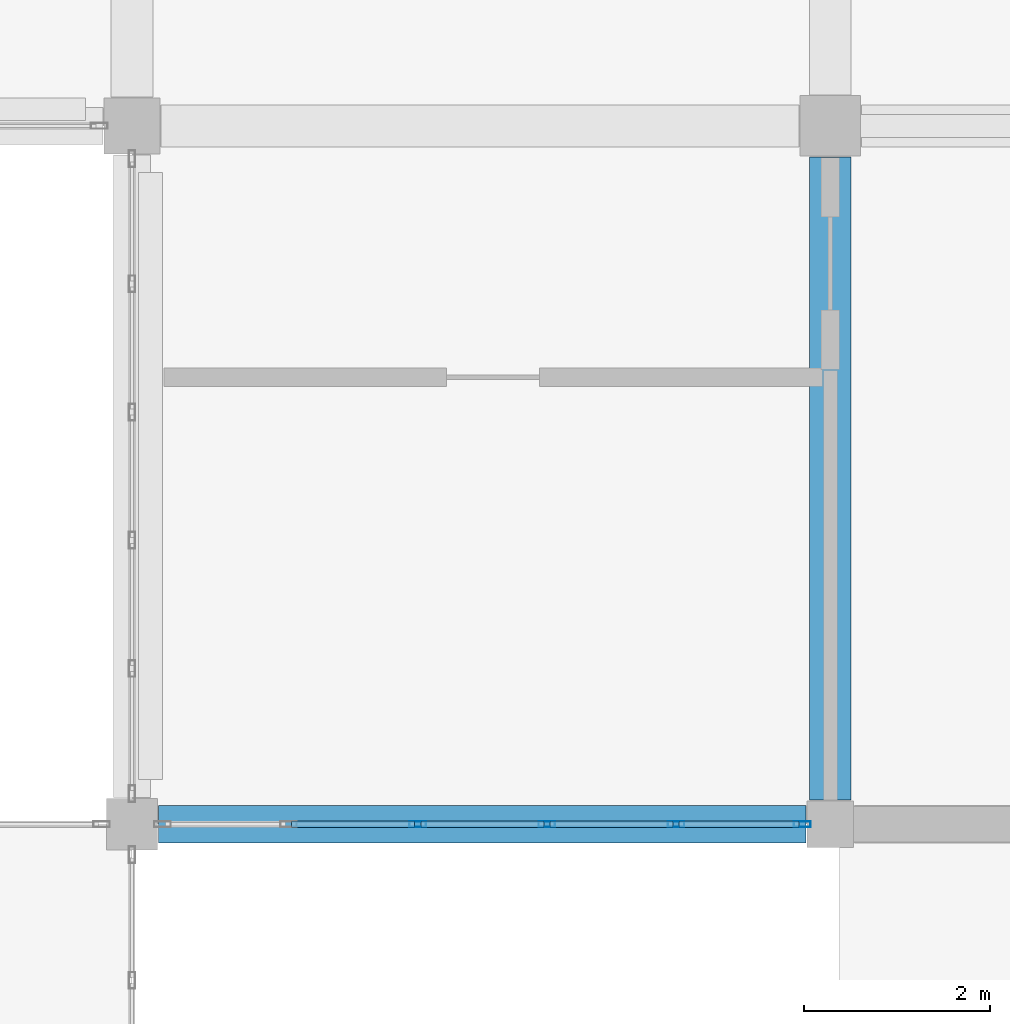
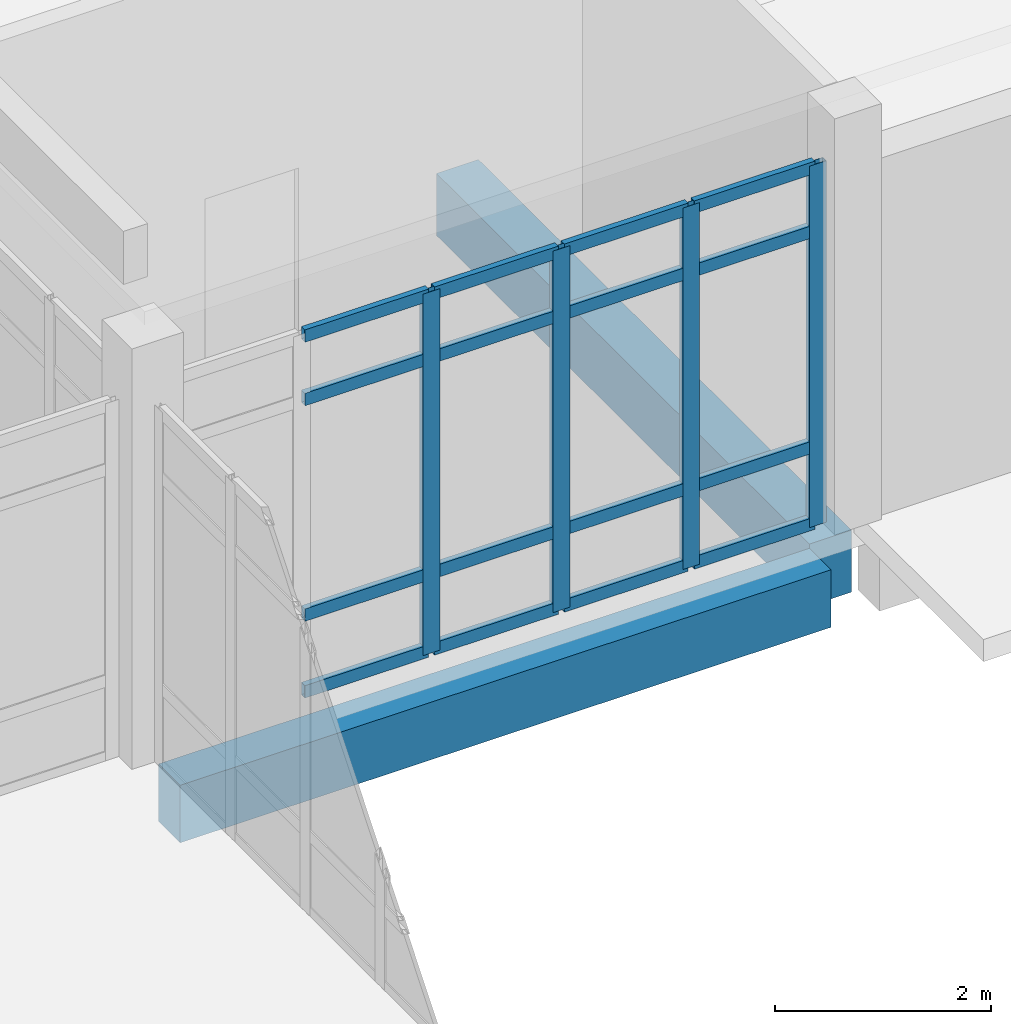
# One storey, part 64 of 173: 20 members, 2 beams, 1 element without a shape of its own.
"""IFC4 building model written with IfcOpenShell, lengths in metres."""

from ifc_helpers import new_model, si_unit, direction, frame, origin, origin_2d, place, context, subcontext, project, spatial, rectangle, hollow_rectangle, extrude, material, layer, layer_set, material_profile, profile_set, type_object, element, aggregate, save


model = new_model("IFC4")

# Units and contexts
model_context = context("Model", 3, precision=1e-05, world=origin(), true_north=direction((0.0, 1.0)))
body_context = subcontext(model_context, "Body", "Model", "MODEL_VIEW")
ifc_project = project(units=[si_unit("LENGTHUNIT", "METRE"), si_unit("AREAUNIT", "SQUARE_METRE"), si_unit("VOLUMEUNIT", "CUBIC_METRE"), si_unit("PLANEANGLEUNIT", "RADIAN"), si_unit("MASSUNIT", "GRAM", prefix="KILO")], contexts=[model_context])

# Site, building, storey
site_placement = place(None, origin())
site = spatial("IfcSite", under=ifc_project, at=site_placement, CompositionType="ELEMENT")
building_placement = place(site_placement, origin())
building = spatial("IfcBuilding", under=site, at=building_placement, Name="Mawjan Specialist Oncology Clinic", CompositionType="ELEMENT")
storey_placement = place(building_placement, origin())
storey = spatial("IfcBuildingStorey", under=building, at=storey_placement, Name="L00", CompositionType="ELEMENT", Elevation=0.0)

# Beam
ifc_material_1 = material(Name="Concrete C40/50", Category="concrete")
ifc_material_profile_1 = material_profile(ifc_material_1, rectangle(XDim=0.449951171875, YDim=0.699951171875, at=origin_2d()), Name="RC BM 450x700", Category="concrete")
ifc_profile_set_1 = profile_set([ifc_material_profile_1], Name="Concrete C40/50")
beam_type_1 = type_object("IfcBeamType", Name="BM-450x700", PredefinedType="BEAM", material=ifc_profile_set_1)
beam_1_placement = place(storey_placement, frame((52.5, 76.06005859375, -0.77001953125), z_axis=(0.0, 1.0, 0.0), x_axis=(-1.0, 0.0, 0.0)))
element("IfcBeam", 1, at=beam_1_placement, inside=storey, type_object=beam_type_1, Name="L00 Collector Beam BM-L00-0127", PredefinedType="BEAM", context=body_context, shape_type="SweptSolid", body=[
    extrude(rectangle(XDim=0.449951171875, YDim=0.699951171875, at=origin_2d()), origin(), (0.0, 0.0, 1.0), 6.905029296875),
])

# Curtain wall, members
ifc_material_2 = material(Name="Unitised spectrally selective aluminium curtain wall", Category="aluminium")
ifc_layer = layer(ifc_material_2, 0.179931640625, Name="Unitised spectrally selective aluminium curtain wall", Category="aluminium")
ifc_layer_set = layer_set([ifc_layer], Name="Unitised spectrally selective aluminium curtain wall")
curtain_wall_type = type_object("IfcCurtainWallType", Name="CW-26", PredefinedType="NOTDEFINED", material=ifc_layer_set)
curtain_wall_placement = place(storey_placement, origin())
curtain_wall = element("IfcCurtainWall", 2, at=curtain_wall_placement, inside=storey, type_object=curtain_wall_type, Name="L00 Unitised Curtain Wall CW-L00-044", PredefinedType="NOTDEFINED")
ifc_material_3 = material(Name="Thermally broken aluminium 6063-T6", Category="aluminium")
ifc_material_profile_2 = material_profile(ifc_material_3, hollow_rectangle(XDim=0.06494140625, YDim=0.179931640625, WallThickness=0.00390625, at=origin_2d()), Name="ALU MULLION 180x65x4", Category="aluminium")
ifc_profile_set_2 = profile_set([ifc_material_profile_2], Name="Thermally broken aluminium 6063-T6")
member_type_1 = type_object("IfcMemberType", Name="CW-M180", PredefinedType="MULLION", material=ifc_profile_set_2)
member_1_placement = place(storey_placement, frame((52.197509765625, 75.800048828125, 0.0), z_axis=(0.0, 0.0, 1.0), x_axis=(0.0, -1.0, 0.0)))
member_1 = element("IfcMember", 3, at=member_1_placement, type_object=member_type_1, Name="CW-26 mullion 1", PredefinedType="MULLION", context=body_context, shape_type="SweptSolid", body=[
    extrude(hollow_rectangle(XDim=0.06494140625, YDim=0.179931640625, WallThickness=0.00390625, at=origin_2d()), origin(), (0.0, 0.0, 1.0), 4.0849609375),
])
member_2_placement = place(storey_placement, frame((50.843017578125, 75.800048828125, 0.0), z_axis=(0.0, 0.0, 1.0), x_axis=(0.0, -1.0, 0.0)))
member_2 = element("IfcMember", 4, at=member_2_placement, type_object=member_type_1, Name="CW-26 mullion 2", PredefinedType="MULLION", context=body_context, shape_type="SweptSolid", body=[
    extrude(hollow_rectangle(XDim=0.06494140625, YDim=0.179931640625, WallThickness=0.00390625, at=origin_2d()), origin(), (0.0, 0.0, 1.0), 4.0849609375),
])
member_3_placement = place(storey_placement, frame((49.4560546875, 75.800048828125, 0.0), z_axis=(0.0, 0.0, 1.0), x_axis=(0.0, -1.0, 0.0)))
member_3 = element("IfcMember", 5, at=member_3_placement, type_object=member_type_1, Name="CW-26 mullion 3", PredefinedType="MULLION", context=body_context, shape_type="SweptSolid", body=[
    extrude(hollow_rectangle(XDim=0.06494140625, YDim=0.179931640625, WallThickness=0.00390625, at=origin_2d()), origin(), (0.0, 0.0, 1.0), 4.0849609375),
])
member_4_placement = place(storey_placement, frame((48.069091796875, 75.800048828125, 0.0), z_axis=(0.0, 0.0, 1.0), x_axis=(0.0, -1.0, 0.0)))
member_4 = element("IfcMember", 6, at=member_4_placement, type_object=member_type_1, Name="CW-26 mullion 4", PredefinedType="MULLION", context=body_context, shape_type="SweptSolid", body=[
    extrude(hollow_rectangle(XDim=0.06494140625, YDim=0.179931640625, WallThickness=0.00390625, at=origin_2d()), origin(), (0.0, 0.0, 1.0), 4.0849609375),
])
ifc_material_4 = material(Name="Thermally broken aluminium 6063-T6", Category="aluminium")
ifc_material_profile_3 = material_profile(ifc_material_4, hollow_rectangle(XDim=0.06494140625, YDim=0.139892578125, WallThickness=0.00390625, at=origin_2d()), Name="ALU TRANSOM 140x65x4", Category="aluminium")
ifc_profile_set_3 = profile_set([ifc_material_profile_3], Name="Thermally broken aluminium 6063-T6")
member_type_2 = type_object("IfcMemberType", Name="CW-T140", PredefinedType="USERDEFINED", material=ifc_profile_set_3)
member_5_placement = place(storey_placement, frame((52.1650390625, 75.800048828125, 0.032470703125), z_axis=(-1.0, 0.0, 0.0), x_axis=(0.0, -1.0, 0.0)))
member_5 = element("IfcMember", 7, at=member_5_placement, type_object=member_type_2, Name="CW-26 transom 1.1", ObjectType="TRANSOM", PredefinedType="USERDEFINED", context=body_context, shape_type="SweptSolid", body=[
    extrude(hollow_rectangle(XDim=0.06494140625, YDim=0.139892578125, WallThickness=0.00390625, at=origin_2d()), origin(), (0.0, 0.0, 1.0), 1.28955078125),
])
member_6_placement = place(storey_placement, frame((52.1650390625, 75.800048828125, 0.89990234375), z_axis=(-1.0, 0.0, 0.0), x_axis=(0.0, -1.0, 0.0)))
member_6 = element("IfcMember", 8, at=member_6_placement, type_object=member_type_2, Name="CW-26 transom 1.2", ObjectType="TRANSOM", PredefinedType="USERDEFINED", context=body_context, shape_type="SweptSolid", body=[
    extrude(hollow_rectangle(XDim=0.06494140625, YDim=0.139892578125, WallThickness=0.00390625, at=origin_2d()), origin(), (0.0, 0.0, 1.0), 1.28955078125),
])
member_7_placement = place(storey_placement, frame((52.1650390625, 75.800048828125, 3.3349609375), z_axis=(-1.0, 0.0, 0.0), x_axis=(0.0, -1.0, 0.0)))
member_7 = element("IfcMember", 9, at=member_7_placement, type_object=member_type_2, Name="CW-26 transom 1.3", ObjectType="TRANSOM", PredefinedType="USERDEFINED", context=body_context, shape_type="SweptSolid", body=[
    extrude(hollow_rectangle(XDim=0.06494140625, YDim=0.139892578125, WallThickness=0.00390625, at=origin_2d()), origin(), (0.0, 0.0, 1.0), 1.28955078125),
])
member_8_placement = place(storey_placement, frame((52.1650390625, 75.800048828125, 4.052490234375), z_axis=(-1.0, 0.0, 0.0), x_axis=(0.0, -1.0, 0.0)))
member_8 = element("IfcMember", 10, at=member_8_placement, type_object=member_type_2, Name="CW-26 transom 1.4", ObjectType="TRANSOM", PredefinedType="USERDEFINED", context=body_context, shape_type="SweptSolid", body=[
    extrude(hollow_rectangle(XDim=0.06494140625, YDim=0.139892578125, WallThickness=0.00390625, at=origin_2d()), origin(), (0.0, 0.0, 1.0), 1.28955078125),
])
member_9_placement = place(storey_placement, frame((50.810546875, 75.800048828125, 0.032470703125), z_axis=(-1.0, 0.0, 0.0), x_axis=(0.0, -1.0, 0.0)))
member_9 = element("IfcMember", 11, at=member_9_placement, type_object=member_type_2, Name="CW-26 transom 2.1", ObjectType="TRANSOM", PredefinedType="USERDEFINED", context=body_context, shape_type="SweptSolid", body=[
    extrude(hollow_rectangle(XDim=0.06494140625, YDim=0.139892578125, WallThickness=0.00390625, at=origin_2d()), origin(), (0.0, 0.0, 1.0), 1.322021484375),
])
member_10_placement = place(storey_placement, frame((50.810546875, 75.800048828125, 0.89990234375), z_axis=(-1.0, 0.0, 0.0), x_axis=(0.0, -1.0, 0.0)))
member_10 = element("IfcMember", 12, at=member_10_placement, type_object=member_type_2, Name="CW-26 transom 2.2", ObjectType="TRANSOM", PredefinedType="USERDEFINED", context=body_context, shape_type="SweptSolid", body=[
    extrude(hollow_rectangle(XDim=0.06494140625, YDim=0.139892578125, WallThickness=0.00390625, at=origin_2d()), origin(), (0.0, 0.0, 1.0), 1.322021484375),
])
member_11_placement = place(storey_placement, frame((50.810546875, 75.800048828125, 3.3349609375), z_axis=(-1.0, 0.0, 0.0), x_axis=(0.0, -1.0, 0.0)))
member_11 = element("IfcMember", 13, at=member_11_placement, type_object=member_type_2, Name="CW-26 transom 2.3", ObjectType="TRANSOM", PredefinedType="USERDEFINED", context=body_context, shape_type="SweptSolid", body=[
    extrude(hollow_rectangle(XDim=0.06494140625, YDim=0.139892578125, WallThickness=0.00390625, at=origin_2d()), origin(), (0.0, 0.0, 1.0), 1.322021484375),
])
member_12_placement = place(storey_placement, frame((50.810546875, 75.800048828125, 4.052490234375), z_axis=(-1.0, 0.0, 0.0), x_axis=(0.0, -1.0, 0.0)))
member_12 = element("IfcMember", 14, at=member_12_placement, type_object=member_type_2, Name="CW-26 transom 2.4", ObjectType="TRANSOM", PredefinedType="USERDEFINED", context=body_context, shape_type="SweptSolid", body=[
    extrude(hollow_rectangle(XDim=0.06494140625, YDim=0.139892578125, WallThickness=0.00390625, at=origin_2d()), origin(), (0.0, 0.0, 1.0), 1.322021484375),
])
member_13_placement = place(storey_placement, frame((49.423583984375, 75.800048828125, 0.032470703125), z_axis=(-1.0, 0.0, 0.0), x_axis=(0.0, -1.0, 0.0)))
member_13 = element("IfcMember", 15, at=member_13_placement, type_object=member_type_2, Name="CW-26 transom 3.1", ObjectType="TRANSOM", PredefinedType="USERDEFINED", context=body_context, shape_type="SweptSolid", body=[
    extrude(hollow_rectangle(XDim=0.06494140625, YDim=0.139892578125, WallThickness=0.00390625, at=origin_2d()), origin(), (0.0, 0.0, 1.0), 1.322021484375),
])
member_14_placement = place(storey_placement, frame((49.423583984375, 75.800048828125, 0.89990234375), z_axis=(-1.0, 0.0, 0.0), x_axis=(0.0, -1.0, 0.0)))
member_14 = element("IfcMember", 16, at=member_14_placement, type_object=member_type_2, Name="CW-26 transom 3.2", ObjectType="TRANSOM", PredefinedType="USERDEFINED", context=body_context, shape_type="SweptSolid", body=[
    extrude(hollow_rectangle(XDim=0.06494140625, YDim=0.139892578125, WallThickness=0.00390625, at=origin_2d()), origin(), (0.0, 0.0, 1.0), 1.322021484375),
])
member_15_placement = place(storey_placement, frame((49.423583984375, 75.800048828125, 3.3349609375), z_axis=(-1.0, 0.0, 0.0), x_axis=(0.0, -1.0, 0.0)))
member_15 = element("IfcMember", 17, at=member_15_placement, type_object=member_type_2, Name="CW-26 transom 3.3", ObjectType="TRANSOM", PredefinedType="USERDEFINED", context=body_context, shape_type="SweptSolid", body=[
    extrude(hollow_rectangle(XDim=0.06494140625, YDim=0.139892578125, WallThickness=0.00390625, at=origin_2d()), origin(), (0.0, 0.0, 1.0), 1.322021484375),
])
member_16_placement = place(storey_placement, frame((49.423583984375, 75.800048828125, 4.052490234375), z_axis=(-1.0, 0.0, 0.0), x_axis=(0.0, -1.0, 0.0)))
member_16 = element("IfcMember", 18, at=member_16_placement, type_object=member_type_2, Name="CW-26 transom 3.4", ObjectType="TRANSOM", PredefinedType="USERDEFINED", context=body_context, shape_type="SweptSolid", body=[
    extrude(hollow_rectangle(XDim=0.06494140625, YDim=0.139892578125, WallThickness=0.00390625, at=origin_2d()), origin(), (0.0, 0.0, 1.0), 1.322021484375),
])
member_17_placement = place(storey_placement, frame((48.03662109375, 75.800048828125, 0.032470703125), z_axis=(-1.0, 0.0, 0.0), x_axis=(0.0, -1.0, 0.0)))
member_17 = element("IfcMember", 19, at=member_17_placement, type_object=member_type_2, Name="CW-26 transom 4.1", ObjectType="TRANSOM", PredefinedType="USERDEFINED", context=body_context, shape_type="SweptSolid", body=[
    extrude(hollow_rectangle(XDim=0.06494140625, YDim=0.139892578125, WallThickness=0.00390625, at=origin_2d()), origin(), (0.0, 0.0, 1.0), 1.322021484375),
])
member_18_placement = place(storey_placement, frame((48.03662109375, 75.800048828125, 0.89990234375), z_axis=(-1.0, 0.0, 0.0), x_axis=(0.0, -1.0, 0.0)))
member_18 = element("IfcMember", 20, at=member_18_placement, type_object=member_type_2, Name="CW-26 transom 4.2", ObjectType="TRANSOM", PredefinedType="USERDEFINED", context=body_context, shape_type="SweptSolid", body=[
    extrude(hollow_rectangle(XDim=0.06494140625, YDim=0.139892578125, WallThickness=0.00390625, at=origin_2d()), origin(), (0.0, 0.0, 1.0), 1.322021484375),
])
member_19_placement = place(storey_placement, frame((48.03662109375, 75.800048828125, 3.3349609375), z_axis=(-1.0, 0.0, 0.0), x_axis=(0.0, -1.0, 0.0)))
member_19 = element("IfcMember", 21, at=member_19_placement, type_object=member_type_2, Name="CW-26 transom 4.3", ObjectType="TRANSOM", PredefinedType="USERDEFINED", context=body_context, shape_type="SweptSolid", body=[
    extrude(hollow_rectangle(XDim=0.06494140625, YDim=0.139892578125, WallThickness=0.00390625, at=origin_2d()), origin(), (0.0, 0.0, 1.0), 1.322021484375),
])
member_20_placement = place(storey_placement, frame((48.03662109375, 75.800048828125, 4.052490234375), z_axis=(-1.0, 0.0, 0.0), x_axis=(0.0, -1.0, 0.0)))
member_20 = element("IfcMember", 22, at=member_20_placement, type_object=member_type_2, Name="CW-26 transom 4.4", ObjectType="TRANSOM", PredefinedType="USERDEFINED", context=body_context, shape_type="SweptSolid", body=[
    extrude(hollow_rectangle(XDim=0.06494140625, YDim=0.139892578125, WallThickness=0.00390625, at=origin_2d()), origin(), (0.0, 0.0, 1.0), 1.322021484375),
])
aggregate(curtain_wall, [member_1, member_2, member_3, member_4, member_5, member_6, member_7, member_8, member_9, member_10, member_11, member_12, member_13, member_14, member_15, member_16, member_17, member_18, member_19, member_20])

# Beam
ifc_material_5 = material(Name="Concrete C45/55", Category="concrete")
ifc_material_profile_4 = material_profile(ifc_material_5, rectangle(XDim=0.39990234375, YDim=0.64990234375, at=origin_2d()), Name="RC BM 400x650", Category="concrete")
ifc_profile_set_4 = profile_set([ifc_material_profile_4], Name="Concrete C45/55")
beam_type_2 = type_object("IfcBeamType", Name="SP-400x650", PredefinedType="SPANDREL", material=ifc_profile_set_4)
beam_2_placement = place(storey_placement, frame((45.284912109375, 75.800048828125, -0.7451171875), z_axis=(1.0, 0.0, 0.0), x_axis=(0.0, 1.0, 0.0)))
element("IfcBeam", 23, at=beam_2_placement, inside=storey, type_object=beam_type_2, Name="L00 Spandrel Beam BM-L00-0007", PredefinedType="SPANDREL", context=body_context, shape_type="SweptSolid", body=[
    extrude(rectangle(XDim=0.39990234375, YDim=0.64990234375, at=origin_2d()), origin(), (0.0, 0.0, 1.0), 6.955078125),
])

save(model, "model.ifc")
